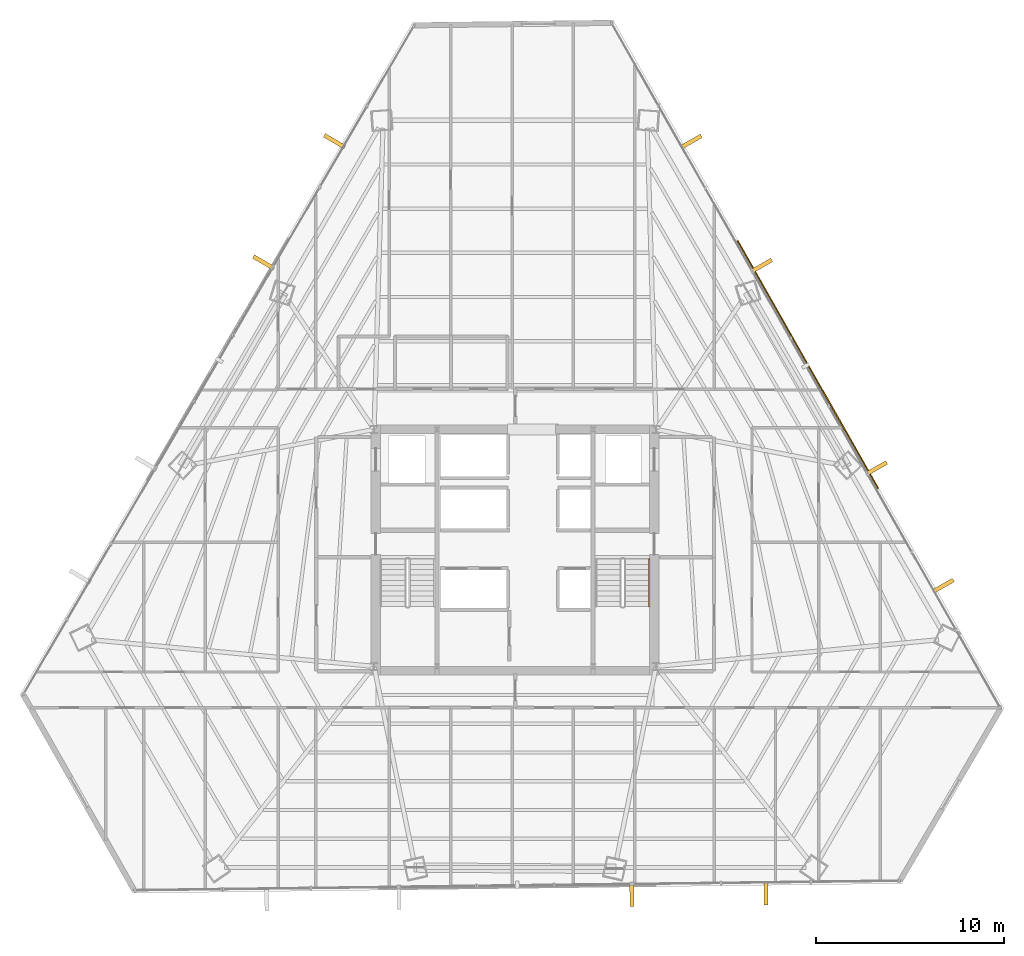
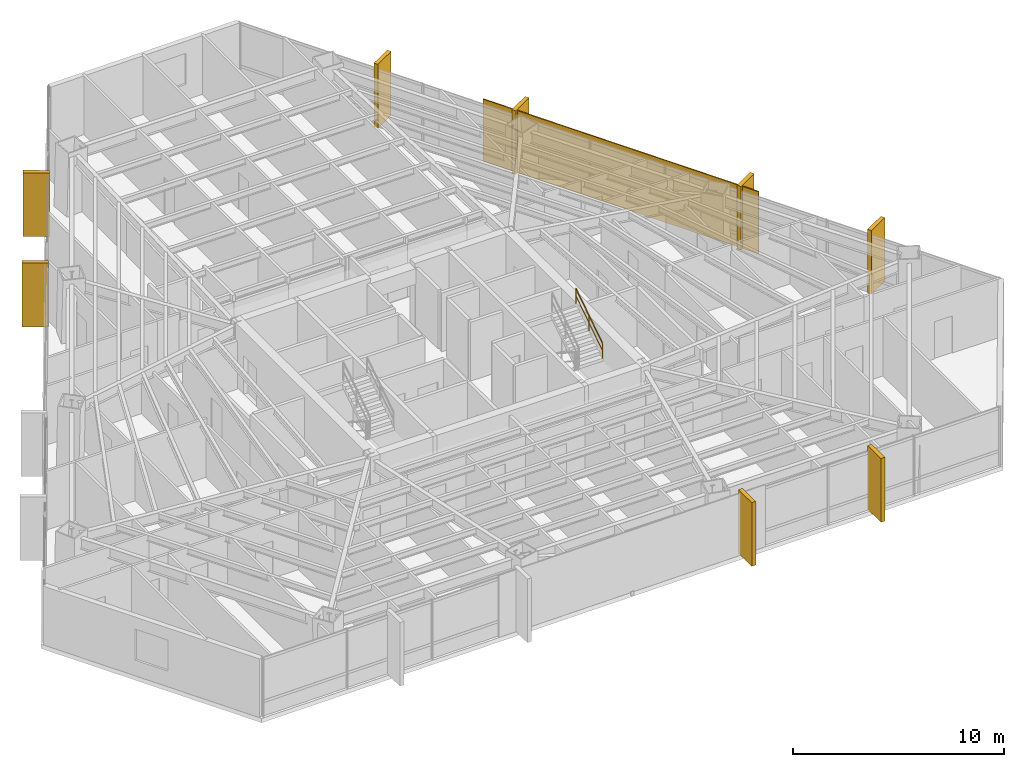
# One storey, part 37 of 37: 8 coverings, 1 railing, 1 shading device.
"""IFC4 building model written with IfcOpenShell, lengths in metres."""

from ifc_helpers import new_model, si_unit, direction, frame, origin, origin_2d, place, context, subcontext, project, spatial, rectangle, extrude, source, transform, mapped, material, layer, layer_set, type_object, type_shapes, element, save


model = new_model("IFC4")

# Units and contexts
model_context = context("Model", 3, precision=1e-05, world=origin(), true_north=direction((0.0, 1.0)))
body_context = subcontext(model_context, "Body", "Model", "MODEL_VIEW")
ifc_project = project(units=[si_unit("LENGTHUNIT", "METRE"), si_unit("AREAUNIT", "SQUARE_METRE"), si_unit("VOLUMEUNIT", "CUBIC_METRE"), si_unit("PLANEANGLEUNIT", "RADIAN"), si_unit("MASSUNIT", "GRAM", prefix="KILO")], contexts=[model_context])

# Site, building, storey
site_placement = place(None, origin())
site = spatial("IfcSite", under=ifc_project, at=site_placement, CompositionType="ELEMENT")
building_placement = place(site_placement, origin())
building = spatial("IfcBuilding", under=site, at=building_placement, Name="Caelisora Broadcast Tower", CompositionType="ELEMENT")
storey_placement = place(building_placement, frame((0.0, 0.0, 120.0)))
storey = spatial("IfcBuildingStorey", under=building, at=storey_placement, Name="L31", CompositionType="ELEMENT", Elevation=120.0)

# Railing
ifc_material_1 = material(Name="Stainless Steel Grade 316 Tubular Handrail", Category="steel")
ifc_layer_1 = layer(ifc_material_1, 0.048095703125, Name="Stainless Steel Grade 316 Tubular Handrail")
ifc_layer_set_1 = layer_set([ifc_layer_1], Name="Stainless Steel Grade 316 Tubular Handrail")
railing_type = type_object("IfcRailingType", Name="HR-1", PredefinedType="HANDRAIL", material=ifc_layer_set_1)
railing_placement = place(storey_placement, frame((45.1298828125, 20.580078125, 2.007568359375)))
element("IfcRailing", 1, at=railing_placement, inside=storey, type_object=railing_type, Name="L31 ST-2 stair handrail 2", PredefinedType="HANDRAIL", context=body_context, shape_type="SweptSolid", body=[
    extrude(rectangle(XDim=0.048095703125, YDim=0.048095703125, at=origin_2d()), frame((0.0, 0.0, 0.8759765625), z_axis=(0.0, 0.837786554691, 0.545997883492), x_axis=(-1.0, 0.0, 0.0)), (0.0, 0.0, 1.0), 3.008056640625),
    extrude(rectangle(XDim=0.03125, YDim=0.03125, at=origin_2d()), frame((0.0, 0.0, 0.449951171875), z_axis=(0.0, 0.837786554691, 0.545997883492), x_axis=(-1.0, 0.0, 0.0)), (0.0, 0.0, 1.0), 3.008056640625),
    extrude(rectangle(XDim=0.0419921875, YDim=0.0419921875, at=origin_2d()), origin(), (0.0, 0.0, 1.0), 0.851806640625),
    extrude(rectangle(XDim=0.0419921875, YDim=0.0419921875, at=origin_2d()), frame((0.0, 1.260009765625, 0.8212890625)), (0.0, 0.0, 1.0), 0.851806640625),
    extrude(rectangle(XDim=0.0419921875, YDim=0.0419921875, at=origin_2d()), frame((0.0, 2.52001953125, 1.642333984375)), (0.0, 0.0, 1.0), 0.851806640625),
])

# Coverings
ifc_material_2 = material(Name="Kiln-Fired Terracotta Spandrel Rainscreen Cladding", Category="ceramic")
ifc_layer_2 = layer(ifc_material_2, 0.044921875, Name="Kiln-Fired Terracotta Spandrel Rainscreen Cladding")
ifc_layer_set_2 = layer_set([ifc_layer_2], Name="Kiln-Fired Terracotta Spandrel Rainscreen Cladding")
covering_type = type_object("IfcCoveringType", Name="CL-1", PredefinedType="CLADDING", material=ifc_layer_set_2)
shared_shape_1 = source(origin(), body_context, "Body", "SweptSolid", [
    extrude(rectangle(XDim=0.219970703125, YDim=1.25, at=origin_2d()), origin(), (0.0, 0.0, 1.0), 3.68994140625),
])
type_shapes(covering_type, [shared_shape_1])
for number, where, z_axis, x_axis, name in (
    (2, (47.359375, 45.303955078125, -0.02001953125), (0.0, 0.0, 1.0), (0.493790103568, -0.86958112538, 0.0), "L31 vertical solar fin cladding #1-1"),
    (3, (51.10546875, 38.70556640625, -0.02001953125), (0.0, 0.0, 1.0), (0.493790103568, -0.86958112538, 0.0), "L31 vertical solar fin cladding #1-2"),
    (4, (57.219970703125, 27.93603515625, -0.02001953125), (0.0, 0.0, 1.0), (0.493790103568, -0.86958112538, 0.0), "L31 vertical solar fin cladding #1-3"),
    (5, (60.76806640625, 21.686767578125, -0.02001953125), (0.0, 0.0, 1.0), (0.493790103568, -0.86958112538, 0.0), "L31 vertical solar fin cladding #1-4"),
    (6, (51.3447265625, 5.34619140625, -0.02001953125), (0.0, 0.0, 1.0), (-0.999923222162, -0.012391520548, 0.0), "L31 vertical solar fin cladding #2-1"),
    (7, (44.20947265625, 5.25732421875, -0.02001953125), (0.0, 0.0, 1.0), (-0.999923222162, -0.012391520548, 0.0), "L31 vertical solar fin cladding #2-2"),
    (8, (24.625732421875, 38.881591796875, -0.02001953125), (0.0, 0.0, 1.0), (0.504527623815, 0.863395550607, 0.0), "L31 vertical solar fin cladding #3-3"),
    (9, (28.3935546875, 45.330078125, -0.02001953125), (0.0, 0.0, 1.0), (0.504527623815, 0.863395550607, 0.0), "L31 vertical solar fin cladding #3-4"),
):
    element("IfcCovering", number, at=place(storey_placement, frame(where, z_axis=z_axis, x_axis=x_axis)), inside=storey, type_object=covering_type, Name=name, PredefinedType="CLADDING", context=body_context, shape_type="MappedRepresentation", body=[
        mapped(shared_shape_1, transform((0.0, 0.0, 0.0), scale=1.0)),
    ])

# Shading device
ifc_material_3 = material(Name="Perforated Glazed Terracotta Baguette Solar Screen", Category="ceramic")
ifc_layer_3 = layer(ifc_material_3, 0.06494140625, Name="Perforated Glazed Terracotta Baguette Solar Screen")
ifc_layer_set_3 = layer_set([ifc_layer_3], Name="Perforated Glazed Terracotta Baguette Solar Screen")
shading_device_type = type_object("IfcShadingDeviceType", Name="SS-1", PredefinedType="USERDEFINED", material=ifc_layer_set_3)
shared_shape_2 = source(origin(), body_context, "Body", "SweptSolid", [
    extrude(rectangle(XDim=15.157958984375, YDim=0.06494140625, at=origin_2d()), origin(), (0.0, 0.0, 1.0), 3.590087890625),
])
type_shapes(shading_device_type, [shared_shape_2])
shading_device_placement = place(storey_placement, frame((53.57275390625, 33.44873046875, 0.0), z_axis=(0.0, 0.0, 1.0), x_axis=(-0.493790103568, 0.86958112538, 0.0)))
element("IfcShadingDevice", 10, at=shading_device_placement, inside=storey, type_object=shading_device_type, Name="L31 perforated terracotta solar screen #3", ObjectType="SOLAR SCREEN", PredefinedType="USERDEFINED", context=body_context, shape_type="MappedRepresentation", body=[
    mapped(shared_shape_2, transform((0.0, 0.0, 0.0), scale=1.0)),
])

save(model, "model.ifc")
